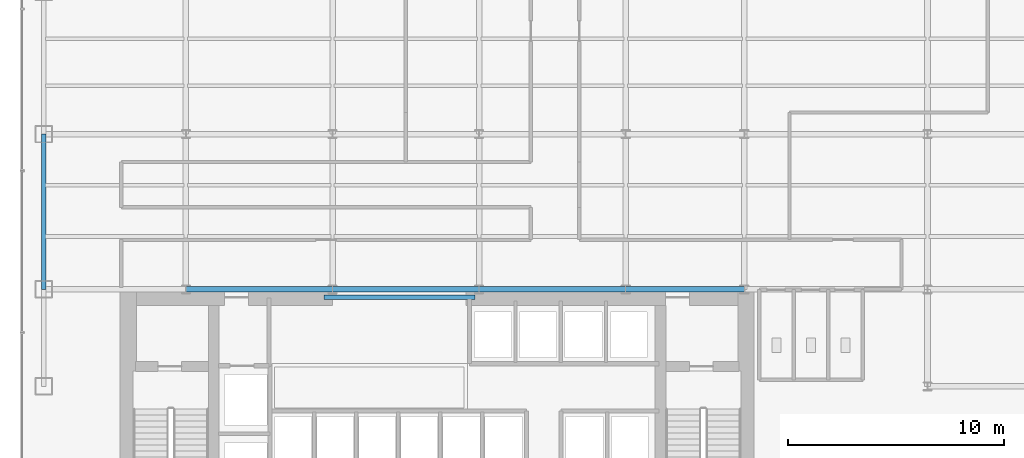
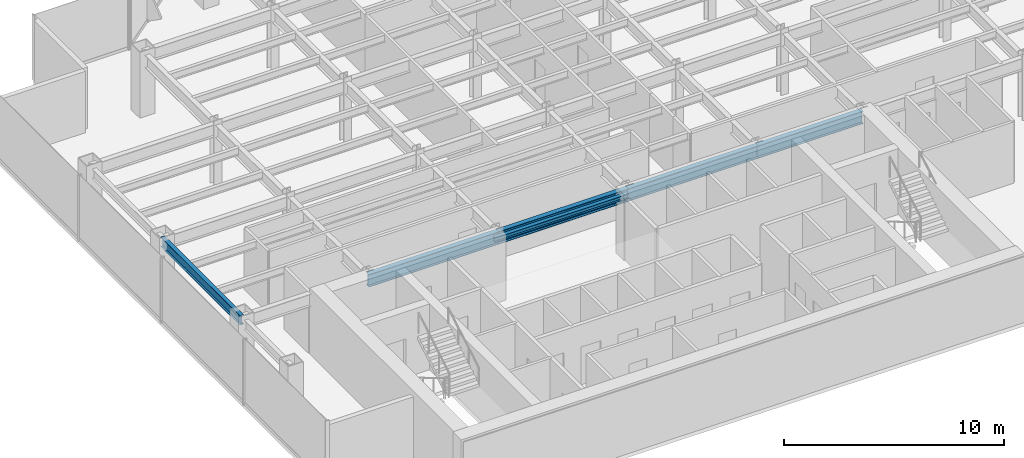
# One storey, part 3 of 26: 6 beams.
"""IFC4 building model written with IfcOpenShell, lengths in metres."""

from ifc_helpers import new_model, si_unit, derived_unit, direction, frame, origin, origin_2d, place, context, subcontext, project, spatial, i_section, extrude, source, transform, mapped, material, material_profile, profile_set, type_object, element, save


model = new_model("IFC4")

# Units and contexts
model_context = context("Model", 3, precision=1e-05, world=origin(), true_north=direction((0.0, 1.0)))
body_context = subcontext(model_context, "Body", "Model", "MODEL_VIEW")
ifc_project = project(units=[si_unit("LENGTHUNIT", "METRE"), si_unit("AREAUNIT", "SQUARE_METRE"), si_unit("VOLUMEUNIT", "CUBIC_METRE"), si_unit("PLANEANGLEUNIT", "RADIAN"), si_unit("MASSUNIT", "GRAM", prefix="KILO"), derived_unit("THERMALTRANSMITTANCEUNIT", [(si_unit("POWERUNIT", "WATT"), 1), (si_unit("LENGTHUNIT", "METRE"), -2), (si_unit("THERMODYNAMICTEMPERATUREUNIT", "KELVIN"), -1)])], contexts=[model_context])

# Site, building, storey
site_placement = place(None, origin())
site = spatial("IfcSite", under=ifc_project, at=site_placement, CompositionType="ELEMENT")
building_placement = place(site_placement, origin())
building = spatial("IfcBuilding", under=site, at=building_placement, Name="Skarnbrae Concourse Arena and Tower", CompositionType="ELEMENT")
storey_placement = place(building_placement, frame((0.0, 0.0, 95.949951171875)))
storey = spatial("IfcBuildingStorey", under=building, at=storey_placement, Name="L23", CompositionType="ELEMENT", Elevation=95.949951171875)

# Beams
ifc_material = material(Name="Steel CSA G40.21 350W", Category="steel")
ifc_material_profile_1 = material_profile(ifc_material, i_section(OverallWidth=0.202880859375, OverallDepth=0.251953125, WebThickness=0.008056640625, FlangeThickness=0.013427734375, at=origin_2d()), Name="W250X58")
ifc_profile_set_1 = profile_set([ifc_material_profile_1], Name="Steel CSA G40.21 350W")
beam_type_1 = type_object("IfcBeamType", Name="BM-LINTEL-W250X58", PredefinedType="LINTEL", material=ifc_profile_set_1)
shared_shape_1 = source(origin(), body_context, "Body", "SweptSolid", [
    extrude(i_section(OverallWidth=0.202880859375, OverallDepth=0.251953125, WebThickness=0.008056640625, FlangeThickness=0.013427734375, at=origin_2d()), origin(), (0.0, 0.0, 1.0), 7.0),
])
beam_1_placement = place(storey_placement, frame((14.0, 13.625, 3.274169921875), z_axis=(1.0, 0.0, 0.0), x_axis=(0.0, 1.0, 0.0)))
element("IfcBeam", 1, at=beam_1_placement, inside=storey, type_object=beam_type_1, Name="L23 Core portal coupling lintel", PredefinedType="LINTEL", context=body_context, shape_type="MappedRepresentation", body=[
    mapped(shared_shape_1, transform((0.0, 0.0, 0.0))),
])
ifc_material_profile_2 = material_profile(ifc_material, i_section(OverallWidth=0.256103515625, OverallDepth=0.693115234375, WebThickness=0.014404296875, FlangeThickness=0.023681640625, at=origin_2d()), Name="W690X170")
ifc_profile_set_2 = profile_set([ifc_material_profile_2], Name="Steel CSA G40.21 350W")
beam_type_2 = type_object("IfcBeamType", Name="BM-GIRD-W690X170", PredefinedType="BEAM", material=ifc_profile_set_2)
shared_shape_2 = source(origin(), body_context, "Body", "SweptSolid", [
    extrude(i_section(OverallWidth=0.256103515625, OverallDepth=0.693115234375, WebThickness=0.014404296875, FlangeThickness=0.023681640625, at=origin_2d()), origin(), (0.0, 0.0, 1.0), 6.7998046875),
])
beam_2_placement = place(storey_placement, frame((7.60009765625, 14.0, 3.053466796875), z_axis=(1.0, 0.0, 0.0), x_axis=(0.0, 1.0, 0.0)))
element("IfcBeam", 2, at=beam_2_placement, inside=storey, type_object=beam_type_2, Name="L23 Primary E-W girder Y14.0-2", PredefinedType="BEAM", context=body_context, shape_type="MappedRepresentation", body=[
    mapped(shared_shape_2, transform((0.0, 0.0, 0.0))),
])
shared_shape_3 = source(origin(), body_context, "Body", "SweptSolid", [
    extrude(i_section(OverallWidth=0.256103515625, OverallDepth=0.693115234375, WebThickness=0.014404296875, FlangeThickness=0.023681640625, at=origin_2d()), origin(), (0.0, 0.0, 1.0), 6.800048828125),
])
for number, where, z_axis, x_axis, name in (
    (3, (14.39990234375, 14.0, 3.053466796875), (1.0, 0.0, 0.0), (0.0, 1.0, 0.0), "L23 Primary E-W girder Y14.0-3"),
    (4, (21.199951171875, 14.0, 3.053466796875), (1.0, 0.0, 0.0), (0.0, 1.0, 0.0), "L23 Primary E-W girder Y14.0-4"),
):
    element("IfcBeam", number, at=place(storey_placement, frame(where, z_axis=z_axis, x_axis=x_axis)), inside=storey, type_object=beam_type_2, Name=name, PredefinedType="BEAM", context=body_context, shape_type="MappedRepresentation", body=[
        mapped(shared_shape_3, transform((0.0, 0.0, 0.0))),
    ])
shared_shape_4 = source(origin(), body_context, "Body", "SweptSolid", [
    extrude(i_section(OverallWidth=0.256103515625, OverallDepth=0.693115234375, WebThickness=0.014404296875, FlangeThickness=0.023681640625, at=origin_2d()), origin(), (0.0, 0.0, 1.0), 5.5),
])
beam_3_placement = place(storey_placement, frame((28.0, 14.0, 3.053466796875), z_axis=(1.0, 0.0, 0.0), x_axis=(0.0, 1.0, 0.0)))
element("IfcBeam", 5, at=beam_3_placement, inside=storey, type_object=beam_type_2, Name="L23 Primary E-W girder Y14.0-5", PredefinedType="BEAM", context=body_context, shape_type="MappedRepresentation", body=[
    mapped(shared_shape_4, transform((0.0, 0.0, 0.0))),
])
ifc_material_profile_3 = material_profile(ifc_material, i_section(OverallWidth=0.208984375, OverallDepth=0.532958984375, WebThickness=0.01025390625, FlangeThickness=0.015625, at=origin_2d()), Name="W530X92")
ifc_profile_set_3 = profile_set([ifc_material_profile_3], Name="Steel CSA G40.21 350W")
beam_type_3 = type_object("IfcBeamType", Name="BM-SPAN-W530X92", PredefinedType="SPANDREL", material=ifc_profile_set_3)
shared_shape_5 = source(origin(), body_context, "Body", "SweptSolid", [
    extrude(i_section(OverallWidth=0.208984375, OverallDepth=0.532958984375, WebThickness=0.01025390625, FlangeThickness=0.015625, at=origin_2d()), origin(), (0.0, 0.0, 1.0), 7.199951171875),
])
beam_4_placement = place(storey_placement, frame((1.0, 14.0, 3.133544921875), z_axis=(0.0, 1.0, 0.0), x_axis=(-1.0, 0.0, 0.0)))
element("IfcBeam", 6, at=beam_4_placement, inside=storey, type_object=beam_type_3, Name="L23 Perimeter spandrel X1.0-2", PredefinedType="SPANDREL", context=body_context, shape_type="MappedRepresentation", body=[
    mapped(shared_shape_5, transform((0.0, 0.0, 0.0))),
])

save(model, "model.ifc")
